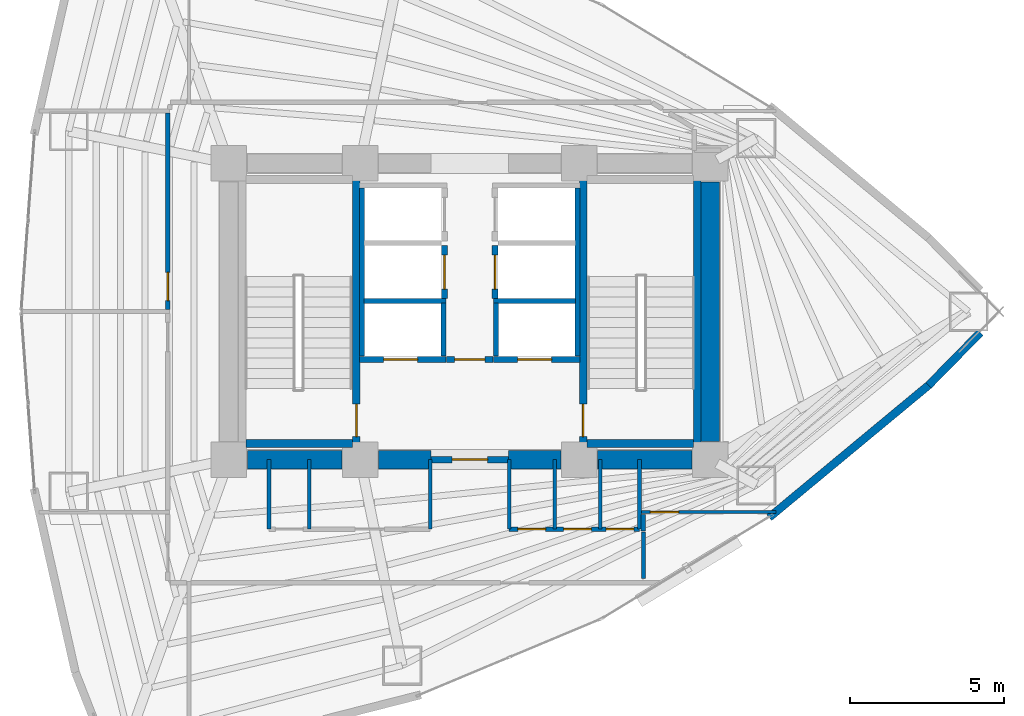
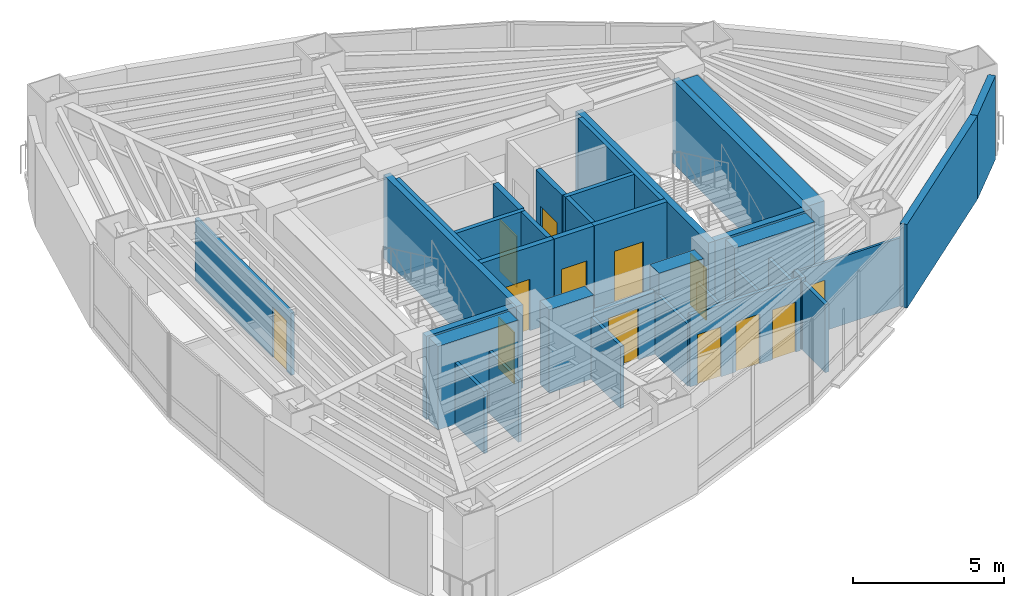
# One storey, part 13 of 16: 36 walls, 13 doors, 13 openings.
"""IFC4 building model written with IfcOpenShell, lengths in metres."""

from ifc_helpers import new_model, si_unit, direction, frame, frame_2d, origin, place, context, subcontext, project, spatial, rectangle, extrude, material, layer, layer_set, type_object, element, fill, save


model = new_model("IFC4")

# Units and contexts
model_context = context("Model", 3, precision=1e-05, world=origin(), true_north=direction((0.0, 1.0)))
body_context = subcontext(model_context, "Body", "Model", "MODEL_VIEW")
ifc_project = project(units=[si_unit("LENGTHUNIT", "METRE"), si_unit("AREAUNIT", "SQUARE_METRE"), si_unit("VOLUMEUNIT", "CUBIC_METRE"), si_unit("PLANEANGLEUNIT", "RADIAN"), si_unit("MASSUNIT", "GRAM", prefix="KILO")], contexts=[model_context])

# Site, building, storey
site_placement = place(None, origin())
site = spatial("IfcSite", under=ifc_project, at=site_placement, CompositionType="ELEMENT")
building_placement = place(site_placement, origin())
building = spatial("IfcBuilding", under=site, at=building_placement, Name="Menara Vayukalpa", CompositionType="ELEMENT")
storey_placement = place(building_placement, frame((0.0, 0.0, 79.679931640625)))
storey = spatial("IfcBuildingStorey", under=building, at=storey_placement, Name="L19", CompositionType="ELEMENT", Elevation=79.679931640625)

# Walls
ifc_material_1 = material(Name="Concrete C70/85", Category="concrete")
ifc_layer_1 = layer(ifc_material_1, 0.60009765625)
ifc_layer_set_1 = layer_set([ifc_layer_1], Name="Concrete C70/85")
wall_type_1 = type_object("IfcWallType", Name="WAL-CW600", PredefinedType="SHEAR", material=ifc_layer_set_1)
wall_1_placement = place(storey_placement, frame((18.39501953125, 17.199951171875, 0.0), z_axis=(0.0, 0.0, 1.0), x_axis=(1.0, 0.0, 0.0)))
element("IfcWall", 1, at=wall_1_placement, inside=storey, type_object=wall_type_1, Name="L19 Buttressed Core Shear Wall CWS1", PredefinedType="SHEAR", context=body_context, shape_type="SweptSolid", body=[
    extrude(rectangle(XDim=3.06005859375, YDim=0.60009765625, at=frame_2d((1.530029296875, 0.0))), origin(), (0.0, 0.0, 1.0), 3.380126953125),
])
wall_2_placement = place(storey_placement, frame((22.64501953125, 17.199951171875, 0.0), z_axis=(0.0, 0.0, 1.0), x_axis=(1.0, 0.0, 0.0)))
element("IfcWall", 2, at=wall_2_placement, inside=storey, type_object=wall_type_1, Name="L19 Buttressed Core Shear Wall CWS2", PredefinedType="SHEAR", context=body_context, shape_type="SweptSolid", body=[
    extrude(rectangle(XDim=1.705078125, YDim=0.60009765625, at=frame_2d((0.8525390625, 0.0))), origin(), (0.0, 0.0, 1.0), 3.380126953125),
])
wall_3_placement = place(storey_placement, frame((26.85009765625, 17.199951171875, 0.0), z_axis=(0.0, 0.0, 1.0), x_axis=(1.0, 0.0, 0.0)))
element("IfcWall", 3, at=wall_3_placement, inside=storey, type_object=wall_type_1, Name="L19 Buttressed Core Shear Wall CWS3", PredefinedType="SHEAR", context=body_context, shape_type="SweptSolid", body=[
    extrude(rectangle(XDim=1.704833984375, YDim=0.60009765625, at=frame_2d((0.8525390625, 0.0))), origin(), (0.0, 0.0, 1.0), 3.380126953125),
])
wall_4_placement = place(storey_placement, frame((29.7451171875, 17.199951171875, 0.0), z_axis=(0.0, 0.0, 1.0), x_axis=(1.0, 0.0, 0.0)))
element("IfcWall", 4, at=wall_4_placement, inside=storey, type_object=wall_type_1, Name="L19 Buttressed Core Shear Wall CWS4", PredefinedType="SHEAR", context=body_context, shape_type="SweptSolid", body=[
    extrude(rectangle(XDim=3.059814453125, YDim=0.60009765625, at=frame_2d((1.52978515625, 0.0))), origin(), (0.0, 0.0, 1.0), 3.380126953125),
])
wall_5_placement = place(storey_placement, frame((33.39990234375, 17.794921875, 0.0), z_axis=(0.0, 0.0, 1.0), x_axis=(0.0, 1.0, 0.0)))
element("IfcWall", 5, at=wall_5_placement, inside=storey, type_object=wall_type_1, Name="L19 Buttressed Core Shear Wall CWE1", PredefinedType="SHEAR", context=body_context, shape_type="SweptSolid", body=[
    extrude(rectangle(XDim=8.41015625, YDim=0.60009765625, at=frame_2d((4.205078125, 0.0))), origin(), (0.0, 0.0, 1.0), 3.380126953125),
])
ifc_material_2 = material(Name="Insulated Precast Concrete C40/50", Category="concrete")
ifc_layer_2 = layer(ifc_material_2, 0.260009765625)
ifc_layer_set_2 = layer_set([ifc_layer_2], Name="Insulated Precast Concrete C40/50")
wall_type_2 = type_object("IfcWallType", Name="WAL-EXT260", PredefinedType="PARTITIONING", material=ifc_layer_set_2)
wall_6_placement = place(storey_placement, frame((42.14111328125, 21.316650390625, 0.0), z_axis=(0.0, 0.0, 1.0), x_axis=(-0.700603293449, -0.713550996922, 0.0)))
element("IfcWall", 6, at=wall_6_placement, inside=storey, type_object=wall_type_2, Name="L19 Perimeter Terracotta Pier Wall 01", PredefinedType="PARTITIONING", context=body_context, shape_type="SweptSolid", body=[
    extrude(rectangle(XDim=2.394775390625, YDim=0.260009765625, at=frame_2d((1.197265625, 0.0))), origin(), (0.0, 0.0, 1.0), 3.380126953125),
])
wall_7_placement = place(storey_placement, frame((40.472412109375, 19.6162109375, 0.0), z_axis=(0.0, 0.0, 1.0), x_axis=(-0.76975316947, -0.638341646841, 0.0)))
element("IfcWall", 7, at=wall_7_placement, inside=storey, type_object=wall_type_2, Name="L19 Perimeter Terracotta Pier Wall 18", PredefinedType="PARTITIONING", context=body_context, shape_type="SweptSolid", body=[
    extrude(rectangle(XDim=6.718017578125, YDim=0.260009765625, at=frame_2d((3.35888671875, 0.0))), origin(), (0.0, 0.0, 1.0), 3.380126953125),
])
ifc_material_3 = material(Name="Lightweight Concrete Blockwork C16/20", Category="masonry")
ifc_layer_3 = layer(ifc_material_3, 0.159912109375)
ifc_layer_set_3 = layer_set([ifc_layer_3], Name="Lightweight Concrete Blockwork C16/20")
wall_type_3 = type_object("IfcWallType", Name="WAL-FR150", PredefinedType="PARTITIONING", material=ifc_layer_set_3)
wall_8_placement = place(storey_placement, frame((22.10498046875, 20.56005859375, 0.0), z_axis=(0.0, 0.0, 1.0), x_axis=(0.0, 1.0, 0.0)))
element("IfcWall", 8, at=wall_8_placement, inside=storey, type_object=wall_type_3, Name="L19 Interior Partition IW-L19-SHW-WW", PredefinedType="PARTITIONING", context=body_context, shape_type="SweptSolid", body=[
    extrude(rectangle(XDim=5.449951171875, YDim=0.159912109375, at=frame_2d((2.72509765625, 0.0))), origin(), (0.0, 0.0, 1.0), 3.380126953125),
])
wall_9_placement = place(storey_placement, frame((24.7548828125, 20.56005859375, 0.0), z_axis=(0.0, 0.0, 1.0), x_axis=(0.0, 1.0, 0.0)))
element("IfcWall", 9, at=wall_9_placement, inside=storey, type_object=wall_type_3, Name="L19 Interior Partition IW-L19-SHW-W1E", PredefinedType="PARTITIONING", context=body_context, shape_type="SweptSolid", body=[
    extrude(rectangle(XDim=1.7099609375, YDim=0.159912109375, at=frame_2d((0.85498046875, 0.0))), origin(), (0.0, 0.0, 1.0), 3.380126953125),
])
wall_10_placement = place(storey_placement, frame((22.179931640625, 22.344970703125, 0.0), z_axis=(0.0, 0.0, 1.0), x_axis=(1.0, 0.0, 0.0)))
element("IfcWall", 10, at=wall_10_placement, inside=storey, type_object=wall_type_3, Name="L19 Interior Partition IW-L19-SHM-W12", PredefinedType="PARTITIONING", context=body_context, shape_type="SweptSolid", body=[
    extrude(rectangle(XDim=2.650146484375, YDim=0.159912109375, at=frame_2d((1.3251953125, 0.0))), origin(), (0.0, 0.0, 1.0), 3.380126953125),
])
wall_11_placement = place(storey_placement, frame((29.094970703125, 20.56005859375, 0.0), z_axis=(0.0, 0.0, 1.0), x_axis=(0.0, 1.0, 0.0)))
element("IfcWall", 11, at=wall_11_placement, inside=storey, type_object=wall_type_3, Name="L19 Interior Partition IW-L19-SHW-EE", PredefinedType="PARTITIONING", context=body_context, shape_type="SweptSolid", body=[
    extrude(rectangle(XDim=5.449951171875, YDim=0.159912109375, at=frame_2d((2.72509765625, 0.0))), origin(), (0.0, 0.0, 1.0), 3.380126953125),
])
wall_12_placement = place(storey_placement, frame((26.445068359375, 20.56005859375, 0.0), z_axis=(0.0, 0.0, 1.0), x_axis=(0.0, 1.0, 0.0)))
element("IfcWall", 12, at=wall_12_placement, inside=storey, type_object=wall_type_3, Name="L19 Interior Partition IW-L19-SHW-E1W", PredefinedType="PARTITIONING", context=body_context, shape_type="SweptSolid", body=[
    extrude(rectangle(XDim=1.7099609375, YDim=0.159912109375, at=frame_2d((0.85498046875, 0.0))), origin(), (0.0, 0.0, 1.0), 3.380126953125),
])
wall_13_placement = place(storey_placement, frame((26.3701171875, 22.344970703125, 0.0), z_axis=(0.0, 0.0, 1.0), x_axis=(1.0, 0.0, 0.0)))
element("IfcWall", 13, at=wall_13_placement, inside=storey, type_object=wall_type_3, Name="L19 Interior Partition IW-L19-SHM-E13", PredefinedType="PARTITIONING", context=body_context, shape_type="SweptSolid", body=[
    extrude(rectangle(XDim=2.64990234375, YDim=0.159912109375, at=frame_2d((1.324951171875, 0.0))), origin(), (0.0, 0.0, 1.0), 3.380126953125),
])

# Wall, opening, door
ifc_material_4 = material(Name="Lightweight Concrete Blockwork C16/20", Category="masonry")
ifc_layer_4 = layer(ifc_material_4, 0.199951171875)
ifc_layer_set_4 = layer_set([ifc_layer_4], Name="Lightweight Concrete Blockwork C16/20")
wall_type_4 = type_object("IfcWallType", Name="WAL-FR200", PredefinedType="PARTITIONING", material=ifc_layer_set_4)
wall_14_placement = place(storey_placement, frame((24.35009765625, 17.199951171875, 0.0), z_axis=(0.0, 0.0, 1.0), x_axis=(1.0, 0.0, 0.0)))
wall_14 = element("IfcWall", 14, at=wall_14_placement, inside=storey, type_object=wall_type_4, Name="L19 Interior Partition IW-L19-FFLS", PredefinedType="PARTITIONING", context=body_context, shape_type="SweptSolid", body=[
    extrude(rectangle(XDim=2.5, YDim=0.199951171875, at=frame_2d((1.25, 0.0))), origin(), (0.0, 0.0, 1.0), 2.510009765625),
])
opening_1_placement = place(wall_14_placement, frame((0.679931640625, 0.0, 0.0)))
opening_1 = element("IfcOpeningElement", 15, at=opening_1_placement, cuts=wall_14, Name="Opening ID2", PredefinedType="OPENING", context=body_context, shape_type="SweptSolid", body=[
    extrude(rectangle(XDim=1.14990234375, YDim=2.080078125, at=frame_2d((0.574951171875, 1.0400390625))), frame((0.0, 0.10986328125, 0.0), z_axis=(0.0, -1.0, 0.0), x_axis=(1.0, 0.0, 0.0)), (0.0, 0.0, 1.0), 0.219970703125),
])
ifc_material_5 = material(Name="Fire-Rated Powder-Coated Steel Door", Category="steel")
door_type_1 = type_object("IfcDoorType", Name="DR-FD60W", OperationType="NOTDEFINED", PredefinedType="DOOR", material=ifc_material_5)
door_1_placement = place(opening_1_placement, origin())
door_1 = element("IfcDoor", 16, at=door_1_placement, inside=storey, type_object=door_type_1, Name="L19 Interior Door DR-L19-FFLS", OperationType="SINGLE_SWING_RIGHT", OverallHeight=2.080078125, OverallWidth=1.14990234375, PredefinedType="DOOR", context=body_context, shape_type="SweptSolid", body=[
    extrude(rectangle(XDim=1.14990234375, YDim=2.080078125, at=frame_2d((0.574951171875, 1.0400390625))), frame((0.0, 0.02490234375, 0.0), z_axis=(0.0, -1.0, 0.0), x_axis=(1.0, 0.0, 0.0)), (0.0, 0.0, 1.0), 0.050048828125),
])
fill(opening_1, door_1)

wall_15_placement = place(storey_placement, frame((24.840087890625, 20.449951171875, 0.0), z_axis=(0.0, 0.0, 1.0), x_axis=(1.0, 0.0, 0.0)))
wall_15 = element("IfcWall", 17, at=wall_15_placement, inside=storey, type_object=wall_type_4, Name="L19 Interior Partition IW-L19-FFLN", PredefinedType="PARTITIONING", context=body_context, shape_type="SweptSolid", body=[
    extrude(rectangle(XDim=1.52001953125, YDim=0.199951171875, at=frame_2d((0.760009765625, 0.0))), origin(), (0.0, 0.0, 1.0), 3.380126953125),
])
opening_2_placement = place(wall_15_placement, frame((0.27001953125, 0.0, 0.0)))
opening_2 = element("IfcOpeningElement", 18, at=opening_2_placement, cuts=wall_15, Name="Opening ID3", PredefinedType="OPENING", context=body_context, shape_type="SweptSolid", body=[
    extrude(rectangle(XDim=0.97998046875, YDim=2.06005859375, at=frame_2d((0.489990234375, 1.030029296875))), frame((0.0, 0.10986328125, 0.0), z_axis=(0.0, -1.0, 0.0), x_axis=(1.0, 0.0, 0.0)), (0.0, 0.0, 1.0), 0.219970703125),
])
ifc_material_6 = material(Name="Fire-Rated Powder-Coated Steel Door", Category="steel")
door_type_2 = type_object("IfcDoorType", Name="DR-FD60", OperationType="NOTDEFINED", PredefinedType="DOOR", material=ifc_material_6)
door_2_placement = place(opening_2_placement, origin())
door_2 = element("IfcDoor", 19, at=door_2_placement, inside=storey, type_object=door_type_2, Name="L19 Interior Door DR-L19-FFLN", OperationType="SINGLE_SWING_LEFT", OverallHeight=2.06005859375, OverallWidth=0.97998046875, PredefinedType="DOOR", context=body_context, shape_type="SweptSolid", body=[
    extrude(rectangle(XDim=0.97998046875, YDim=2.06005859375, at=frame_2d((0.489990234375, 1.030029296875))), frame((0.0, 0.02490234375, 0.0), z_axis=(0.0, -1.0, 0.0), x_axis=(1.0, 0.0, 0.0)), (0.0, 0.0, 1.0), 0.050048828125),
])
fill(opening_2, door_2)

wall_16_placement = place(storey_placement, frame((22.030029296875, 20.449951171875, 0.0), z_axis=(0.0, 0.0, 1.0), x_axis=(1.0, 0.0, 0.0)))
wall_16 = element("IfcWall", 20, at=wall_16_placement, inside=storey, type_object=wall_type_4, Name="L19 Interior Partition IW-L19-SH-W1", PredefinedType="PARTITIONING", context=body_context, shape_type="SweptSolid", body=[
    extrude(rectangle(XDim=2.800048828125, YDim=0.199951171875, at=frame_2d((1.39990234375, 0.0))), origin(), (0.0, 0.0, 1.0), 3.380126953125),
])
opening_3_placement = place(wall_16_placement, frame((0.780029296875, 0.0, 0.0)))
opening_3 = element("IfcOpeningElement", 21, at=opening_3_placement, cuts=wall_16, Name="Opening LD1", PredefinedType="OPENING", context=body_context, shape_type="SweptSolid", body=[
    extrude(rectangle(XDim=1.10009765625, YDim=2.080078125, at=frame_2d((0.550048828125, 1.0400390625))), frame((0.0, 0.10986328125, 0.0), z_axis=(0.0, -1.0, 0.0), x_axis=(1.0, 0.0, 0.0)), (0.0, 0.0, 1.0), 0.219970703125),
])
ifc_material_7 = material(Name="Brushed Stainless Steel 316 Lift Door", Category="steel")
door_type_3 = type_object("IfcDoorType", Name="DR-LD110", OperationType="NOTDEFINED", PredefinedType="DOOR", material=ifc_material_7)
door_3_placement = place(opening_3_placement, origin())
door_3 = element("IfcDoor", 22, at=door_3_placement, inside=storey, type_object=door_type_3, Name="L19 Interior Door DR-L19-LD-W1", OperationType="DOUBLE_DOOR_SLIDING", OverallHeight=2.080078125, OverallWidth=1.10009765625, PredefinedType="DOOR", context=body_context, shape_type="SweptSolid", body=[
    extrude(rectangle(XDim=1.10009765625, YDim=2.080078125, at=frame_2d((0.550048828125, 1.0400390625))), frame((0.0, 0.02490234375, 0.0), z_axis=(0.0, -1.0, 0.0), x_axis=(1.0, 0.0, 0.0)), (0.0, 0.0, 1.0), 0.050048828125),
])
fill(opening_3, door_3)

wall_17_placement = place(storey_placement, frame((26.3701171875, 20.449951171875, 0.0), z_axis=(0.0, 0.0, 1.0), x_axis=(1.0, 0.0, 0.0)))
wall_17 = element("IfcWall", 23, at=wall_17_placement, inside=storey, type_object=wall_type_4, Name="L19 Interior Partition IW-L19-SH-E1", PredefinedType="PARTITIONING", context=body_context, shape_type="SweptSolid", body=[
    extrude(rectangle(XDim=2.7998046875, YDim=0.199951171875, at=frame_2d((1.39990234375, 0.0))), origin(), (0.0, 0.0, 1.0), 3.380126953125),
])
opening_4_placement = place(wall_17_placement, frame((0.780029296875, 0.0, 0.0)))
opening_4 = element("IfcOpeningElement", 24, at=opening_4_placement, cuts=wall_17, Name="Opening LD1", PredefinedType="OPENING", context=body_context, shape_type="SweptSolid", body=[
    extrude(rectangle(XDim=1.10009765625, YDim=2.080078125, at=frame_2d((0.550048828125, 1.0400390625))), frame((0.0, 0.10986328125, 0.0), z_axis=(0.0, -1.0, 0.0), x_axis=(1.0, 0.0, 0.0)), (0.0, 0.0, 1.0), 0.219970703125),
])
door_4_placement = place(opening_4_placement, origin())
door_4 = element("IfcDoor", 25, at=door_4_placement, inside=storey, type_object=door_type_3, Name="L19 Interior Door DR-L19-LD-E1", OperationType="DOUBLE_DOOR_SLIDING", OverallHeight=2.080078125, OverallWidth=1.10009765625, PredefinedType="DOOR", context=body_context, shape_type="SweptSolid", body=[
    extrude(rectangle(XDim=1.10009765625, YDim=2.080078125, at=frame_2d((0.550048828125, 1.0400390625))), frame((0.0, 0.02490234375, 0.0), z_axis=(0.0, -1.0, 0.0), x_axis=(1.0, 0.0, 0.0)), (0.0, 0.0, 1.0), 0.050048828125),
])
fill(opening_4, door_4)

wall_18_placement = place(storey_placement, frame((24.780029296875, 22.419921875, 0.0), z_axis=(0.0, 0.0, 1.0), x_axis=(0.0, 1.0, 0.0)))
wall_18 = element("IfcWall", 26, at=wall_18_placement, inside=storey, type_object=wall_type_4, Name="L19 Interior Partition IW-L19-SH-W2", PredefinedType="PARTITIONING", context=body_context, shape_type="SweptSolid", body=[
    extrude(rectangle(XDim=1.719970703125, YDim=0.199951171875, at=frame_2d((0.85986328125, 0.0))), origin(), (0.0, 0.0, 1.0), 3.380126953125),
])
opening_5_placement = place(wall_18_placement, frame((0.31005859375, 0.0, 0.0)))
opening_5 = element("IfcOpeningElement", 27, at=opening_5_placement, cuts=wall_18, Name="Opening LD1", PredefinedType="OPENING", context=body_context, shape_type="SweptSolid", body=[
    extrude(rectangle(XDim=1.10009765625, YDim=2.080078125, at=frame_2d((0.550048828125, 1.0400390625))), frame((0.0, 0.10986328125, 0.0), z_axis=(0.0, -1.0, 0.0), x_axis=(1.0, 0.0, 0.0)), (0.0, 0.0, 1.0), 0.219970703125),
])
door_5_placement = place(opening_5_placement, origin())
door_5 = element("IfcDoor", 28, at=door_5_placement, inside=storey, type_object=door_type_3, Name="L19 Interior Door DR-L19-LD-W2", OperationType="DOUBLE_DOOR_SLIDING", OverallHeight=2.080078125, OverallWidth=1.10009765625, PredefinedType="DOOR", context=body_context, shape_type="SweptSolid", body=[
    extrude(rectangle(XDim=1.10009765625, YDim=2.080078125, at=frame_2d((0.550048828125, 1.0400390625))), frame((0.0, 0.02490234375, 0.0), z_axis=(0.0, -1.0, 0.0), x_axis=(1.0, 0.0, 0.0)), (0.0, 0.0, 1.0), 0.050048828125),
])
fill(opening_5, door_5)

wall_19_placement = place(storey_placement, frame((26.419921875, 22.419921875, 0.0), z_axis=(0.0, 0.0, 1.0), x_axis=(0.0, 1.0, 0.0)))
wall_19 = element("IfcWall", 29, at=wall_19_placement, inside=storey, type_object=wall_type_4, Name="L19 Interior Partition IW-L19-SH-E3", PredefinedType="PARTITIONING", context=body_context, shape_type="SweptSolid", body=[
    extrude(rectangle(XDim=1.719970703125, YDim=0.199951171875, at=frame_2d((0.85986328125, 0.0))), origin(), (0.0, 0.0, 1.0), 3.380126953125),
])
opening_6_placement = place(wall_19_placement, frame((0.31005859375, 0.0, 0.0)))
opening_6 = element("IfcOpeningElement", 30, at=opening_6_placement, cuts=wall_19, Name="Opening LD1", PredefinedType="OPENING", context=body_context, shape_type="SweptSolid", body=[
    extrude(rectangle(XDim=1.10009765625, YDim=2.080078125, at=frame_2d((0.550048828125, 1.0400390625))), frame((0.0, 0.10986328125, 0.0), z_axis=(0.0, -1.0, 0.0), x_axis=(1.0, 0.0, 0.0)), (0.0, 0.0, 1.0), 0.219970703125),
])
door_6_placement = place(opening_6_placement, origin())
door_6 = element("IfcDoor", 31, at=door_6_placement, inside=storey, type_object=door_type_3, Name="L19 Interior Door DR-L19-LD-E3", OperationType="DOUBLE_DOOR_SLIDING", OverallHeight=2.080078125, OverallWidth=1.10009765625, PredefinedType="DOOR", context=body_context, shape_type="SweptSolid", body=[
    extrude(rectangle(XDim=1.10009765625, YDim=2.080078125, at=frame_2d((0.550048828125, 1.0400390625))), frame((0.0, 0.02490234375, 0.0), z_axis=(0.0, -1.0, 0.0), x_axis=(1.0, 0.0, 0.0)), (0.0, 0.0, 1.0), 0.050048828125),
])
fill(opening_6, door_6)

ifc_material_8 = material(Name="Glazed Demountable Office Partition", Category="glass")
ifc_layer_5 = layer(ifc_material_8, 0.094970703125)
ifc_layer_set_5 = layer_set([ifc_layer_5], Name="Glazed Demountable Office Partition")
wall_type_5 = type_object("IfcWallType", Name="WAL-PT100", PredefinedType="PARTITIONING", material=ifc_layer_set_5)
wall_20_placement = place(storey_placement, frame((31.169921875, 15.5, 0.0), z_axis=(0.0, 0.0, 1.0), x_axis=(1.0, 0.0, 0.0)))
wall_20 = element("IfcWall", 32, at=wall_20_placement, inside=storey, type_object=wall_type_5, Name="L19 Interior Partition IW-L19-RDIV04", PredefinedType="PARTITIONING", context=body_context, shape_type="SweptSolid", body=[
    extrude(rectangle(XDim=4.3544921875, YDim=0.094970703125, at=frame_2d((2.17724609375, 0.0))), origin(), (0.0, 0.0, 1.0), 2.760009765625),
])
opening_7_placement = place(wall_20_placement, frame((0.280029296875, 0.0, 0.0)))
opening_7 = element("IfcOpeningElement", 33, at=opening_7_placement, cuts=wall_20, Name="Opening ID6", PredefinedType="OPENING", context=body_context, shape_type="SweptSolid", body=[
    extrude(rectangle(XDim=0.919921875, YDim=2.050048828125, at=frame_2d((0.4599609375, 1.02490234375))), frame((0.0, 0.057373046875, 0.0), z_axis=(0.0, -1.0, 0.0), x_axis=(1.0, 0.0, 0.0)), (0.0, 0.0, 1.0), 0.114990234375),
])
ifc_material_9 = material(Name="Acoustic Hardwood Veneer Timber Door", Category="wood")
door_type_4 = type_object("IfcDoorType", Name="DR-INT92", OperationType="NOTDEFINED", PredefinedType="DOOR", material=ifc_material_9)
door_7_placement = place(opening_7_placement, origin())
door_7 = element("IfcDoor", 34, at=door_7_placement, inside=storey, type_object=door_type_4, Name="L19 Interior Door DR-L19-STE05", OperationType="SINGLE_SWING_LEFT", OverallHeight=2.050048828125, OverallWidth=0.919921875, PredefinedType="DOOR", context=body_context, shape_type="SweptSolid", body=[
    extrude(rectangle(XDim=0.919921875, YDim=2.050048828125, at=frame_2d((0.4599609375, 1.02490234375))), frame((0.0, 0.02490234375, 0.0), z_axis=(0.0, -1.0, 0.0), x_axis=(1.0, 0.0, 0.0)), (0.0, 0.0, 1.0), 0.050048828125),
])
fill(opening_7, door_7)

# Walls
ifc_material_10 = material(Name="Acoustic Mineral Stud Partition", Category="masonry")
ifc_layer_6 = layer(ifc_material_10, 0.110107421875)
ifc_layer_set_6 = layer_set([ifc_layer_6], Name="Acoustic Mineral Stud Partition")
wall_type_6 = type_object("IfcWallType", Name="WAL-PT110", PredefinedType="PARTITIONING", material=ifc_layer_set_6)
for number, where, z_axis, x_axis, name in (
    (35, (20.39990234375, 14.949951171875, 0.0), (0.0, 0.0, 1.0), (0.0, 1.0, 0.0), "L19 Interior Partition IW-L19-SVCD-02"),
    (36, (28.35009765625, 14.949951171875, 0.0), (0.0, 0.0, 1.0), (0.0, 1.0, 0.0), "L19 Interior Partition IW-L19-SVCD-05"),
):
    element("IfcWall", number, at=place(storey_placement, frame(where, z_axis=z_axis, x_axis=x_axis)), inside=storey, type_object=wall_type_6, Name=name, PredefinedType="PARTITIONING", context=body_context, shape_type="SweptSolid", body=[
        extrude(rectangle(XDim=2.25, YDim=0.110107421875, at=frame_2d((1.125, 0.0))), origin(), (0.0, 0.0, 1.0), 2.510009765625),
    ])
ifc_material_11 = material(Name="Gypsum Drywall Steel Stud Assembly", Category="steel")
ifc_layer_7 = layer(ifc_material_11, 0.125)
ifc_layer_set_7 = layer_set([ifc_layer_7], Name="Gypsum Drywall Steel Stud Assembly")
wall_type_7 = type_object("IfcWallType", Name="WAL-PT125", PredefinedType="PARTITIONING", material=ifc_layer_set_7)
for number, where, z_axis, x_axis, name in (
    (37, (19.10009765625, 14.949951171875, 0.0), (0.0, 0.0, 1.0), (0.0, 1.0, 0.0), "L19 Interior Partition IW-L19-SVCD-01"),
    (38, (24.320068359375, 14.949951171875, 0.0), (0.0, 0.0, 1.0), (0.0, 1.0, 0.0), "L19 Interior Partition IW-L19-SVCD-03"),
    (39, (26.8798828125, 14.949951171875, 0.0), (0.0, 0.0, 1.0), (0.0, 1.0, 0.0), "L19 Interior Partition IW-L19-SVCD-04"),
    (40, (29.830078125, 14.949951171875, 0.0), (0.0, 0.0, 1.0), (0.0, 1.0, 0.0), "L19 Interior Partition IW-L19-SVCD-06"),
    (41, (31.10009765625, 14.949951171875, 0.0), (0.0, 0.0, 1.0), (0.0, 1.0, 0.0), "L19 Interior Partition IW-L19-SVCD-07"),
):
    element("IfcWall", number, at=place(storey_placement, frame(where, z_axis=z_axis, x_axis=x_axis)), inside=storey, type_object=wall_type_7, Name=name, PredefinedType="PARTITIONING", context=body_context, shape_type="SweptSolid", body=[
        extrude(rectangle(XDim=2.25, YDim=0.125, at=frame_2d((1.125, 0.0))), origin(), (0.0, 0.0, 1.0), 2.510009765625),
    ])

# Wall, openings, doors
ifc_material_12 = material(Name="Gypsum Drywall Acoustic Stud Assembly", Category="masonry")
ifc_layer_8 = layer(ifc_material_12, 0.14501953125)
ifc_layer_set_8 = layer_set([ifc_layer_8], Name="Gypsum Drywall Acoustic Stud Assembly")
wall_type_8 = type_object("IfcWallType", Name="WAL-PT150", PredefinedType="PARTITIONING", material=ifc_layer_set_8)
wall_21_placement = place(storey_placement, frame((26.8798828125, 14.949951171875, 0.0), z_axis=(0.0, 0.0, 1.0), x_axis=(1.0, 0.0, 0.0)))
wall_21 = element("IfcWall", 42, at=wall_21_placement, inside=storey, type_object=wall_type_8, Name="L19 Interior Partition IW-L19-SVCS-E", PredefinedType="PARTITIONING", context=body_context, shape_type="SweptSolid", body=[
    extrude(rectangle(XDim=4.22021484375, YDim=0.14501953125, at=frame_2d((2.110107421875, 0.0))), origin(), (0.0, 0.0, 1.0), 2.91015625),
])
opening_8_placement = place(wall_21_placement, frame((0.280029296875, 0.0, 0.0)))
opening_8 = element("IfcOpeningElement", 43, at=opening_8_placement, cuts=wall_21, Name="Opening ID7", PredefinedType="OPENING", context=body_context, shape_type="SweptSolid", body=[
    extrude(rectangle(XDim=0.89990234375, YDim=2.02001953125, at=frame_2d((0.449951171875, 1.010009765625))), frame((0.0, 0.08251953125, 0.0), z_axis=(0.0, -1.0, 0.0), x_axis=(1.0, 0.0, 0.0)), (0.0, 0.0, 1.0), 0.1650390625),
])
opening_9_placement = place(wall_21_placement, frame((1.760009765625, 0.0, 0.0)))
opening_9 = element("IfcOpeningElement", 44, at=opening_9_placement, cuts=wall_21, Name="Opening ID7", PredefinedType="OPENING", context=body_context, shape_type="SweptSolid", body=[
    extrude(rectangle(XDim=0.89990234375, YDim=2.02001953125, at=frame_2d((0.449951171875, 1.010009765625))), frame((0.0, 0.08251953125, 0.0), z_axis=(0.0, -1.0, 0.0), x_axis=(1.0, 0.0, 0.0)), (0.0, 0.0, 1.0), 0.1650390625),
])
opening_10_placement = place(wall_21_placement, frame((3.139892578125, 0.0, 0.0)))
opening_10 = element("IfcOpeningElement", 45, at=opening_10_placement, cuts=wall_21, Name="Opening ID7", PredefinedType="OPENING", context=body_context, shape_type="SweptSolid", body=[
    extrude(rectangle(XDim=0.89990234375, YDim=2.02001953125, at=frame_2d((0.449951171875, 1.010009765625))), frame((0.0, 0.08251953125, 0.0), z_axis=(0.0, -1.0, 0.0), x_axis=(1.0, 0.0, 0.0)), (0.0, 0.0, 1.0), 0.1650390625),
])
ifc_material_13 = material(Name="Powder-Coated Steel Riser Access Door", Category="steel")
door_type_5 = type_object("IfcDoorType", Name="DR-RISER", OperationType="NOTDEFINED", PredefinedType="DOOR", material=ifc_material_13)
door_8_placement = place(opening_8_placement, origin())
door_8 = element("IfcDoor", 46, at=door_8_placement, inside=storey, type_object=door_type_5, Name="L19 Interior Door DR-L19-KSV1", OperationType="SINGLE_SWING_RIGHT", OverallHeight=2.02001953125, OverallWidth=0.89990234375, PredefinedType="DOOR", context=body_context, shape_type="SweptSolid", body=[
    extrude(rectangle(XDim=0.89990234375, YDim=2.02001953125, at=frame_2d((0.449951171875, 1.010009765625))), frame((0.0, 0.02490234375, 0.0), z_axis=(0.0, -1.0, 0.0), x_axis=(1.0, 0.0, 0.0)), (0.0, 0.0, 1.0), 0.050048828125),
])
fill(opening_8, door_8)
door_9_placement = place(opening_9_placement, origin())
door_9 = element("IfcDoor", 47, at=door_9_placement, inside=storey, type_object=door_type_5, Name="L19 Interior Door DR-L19-KSV2", OperationType="SINGLE_SWING_LEFT", OverallHeight=2.02001953125, OverallWidth=0.89990234375, PredefinedType="DOOR", context=body_context, shape_type="SweptSolid", body=[
    extrude(rectangle(XDim=0.89990234375, YDim=2.02001953125, at=frame_2d((0.449951171875, 1.010009765625))), frame((0.0, 0.02490234375, 0.0), z_axis=(0.0, -1.0, 0.0), x_axis=(1.0, 0.0, 0.0)), (0.0, 0.0, 1.0), 0.050048828125),
])
fill(opening_9, door_9)
door_10_placement = place(opening_10_placement, origin())
door_10 = element("IfcDoor", 48, at=door_10_placement, inside=storey, type_object=door_type_5, Name="L19 Interior Door DR-L19-SMD", OperationType="SINGLE_SWING_RIGHT", OverallHeight=2.02001953125, OverallWidth=0.89990234375, PredefinedType="DOOR", context=body_context, shape_type="SweptSolid", body=[
    extrude(rectangle(XDim=0.89990234375, YDim=2.02001953125, at=frame_2d((0.449951171875, 1.010009765625))), frame((0.0, 0.02490234375, 0.0), z_axis=(0.0, -1.0, 0.0), x_axis=(1.0, 0.0, 0.0)), (0.0, 0.0, 1.0), 0.050048828125),
])
fill(opening_10, door_10)

# Walls
wall_22_placement = place(storey_placement, frame((31.22998046875, 13.351318359375, 0.0), z_axis=(0.0, 0.0, 1.0), x_axis=(0.0, 1.0, 0.0)))
element("IfcWall", 49, at=wall_22_placement, inside=storey, type_object=wall_type_8, Name="L19 Interior Partition IW-L19-CRM04-2", PredefinedType="PARTITIONING", context=body_context, shape_type="SweptSolid", body=[
    extrude(rectangle(XDim=1.498779296875, YDim=0.14501953125, at=frame_2d((0.74951171875, 0.0))), origin(), (0.0, 0.0, 1.0), 2.760009765625),
])
wall_23_placement = place(storey_placement, frame((31.219970703125, 14.888671875, 0.0), z_axis=(0.0, 0.0, 1.0), x_axis=(0.0, 1.0, 0.0)))
element("IfcWall", 50, at=wall_23_placement, inside=storey, type_object=wall_type_8, Name="L19 Interior Partition IW-L19-CRM04-3", PredefinedType="PARTITIONING", context=body_context, shape_type="SweptSolid", body=[
    extrude(rectangle(XDim=0.541259765625, YDim=0.14501953125, at=frame_2d((0.2705078125, 0.0))), origin(), (0.0, 0.0, 1.0), 2.91015625),
])

# Wall, opening, door
wall_24_placement = place(storey_placement, frame((15.820068359375, 28.429931640625, 0.0), z_axis=(0.0, 0.0, 1.0), x_axis=(0.0, -1.0, 0.0)))
wall_24 = element("IfcWall", 51, at=wall_24_placement, inside=storey, type_object=wall_type_8, Name="L19 Interior Partition IW-L19-CRM08-1", PredefinedType="PARTITIONING", context=body_context, shape_type="SweptSolid", body=[
    extrude(rectangle(XDim=6.35986328125, YDim=0.14501953125, at=frame_2d((3.179931640625, 0.0))), origin(), (0.0, 0.0, 1.0), 2.510009765625),
])
opening_11_placement = place(wall_24_placement, frame((5.159912109375, 0.0, 0.0)))
opening_11 = element("IfcOpeningElement", 52, at=opening_11_placement, cuts=wall_24, Name="Opening ID6", PredefinedType="OPENING", context=body_context, shape_type="SweptSolid", body=[
    extrude(rectangle(XDim=0.919921875, YDim=2.050048828125, at=frame_2d((0.4599609375, 1.02490234375))), frame((0.0, 0.08251953125, 0.0), z_axis=(0.0, -1.0, 0.0), x_axis=(1.0, 0.0, 0.0)), (0.0, 0.0, 1.0), 0.1650390625),
])
door_11_placement = place(opening_11_placement, origin())
door_11 = element("IfcDoor", 53, at=door_11_placement, inside=storey, type_object=door_type_4, Name="L19 Interior Door DR-L19-RM08", OperationType="SINGLE_SWING_LEFT", OverallHeight=2.050048828125, OverallWidth=0.919921875, PredefinedType="DOOR", context=body_context, shape_type="SweptSolid", body=[
    extrude(rectangle(XDim=0.919921875, YDim=2.050048828125, at=frame_2d((0.4599609375, 1.02490234375))), frame((0.0, 0.02490234375, 0.0), z_axis=(0.0, -1.0, 0.0), x_axis=(1.0, 0.0, 0.0)), (0.0, 0.0, 1.0), 0.050048828125),
])
fill(opening_11, door_11)

ifc_material_14 = material(Name="Concrete C50/60", Category="concrete")
ifc_layer_9 = layer(ifc_material_14, 0.25)
ifc_layer_set_9 = layer_set([ifc_layer_9], Name="Concrete C50/60")
wall_type_9 = type_object("IfcWallType", Name="WAL-SW250", PredefinedType="SHEAR", material=ifc_layer_set_9)
wall_25_placement = place(storey_placement, frame((21.925048828125, 17.60009765625, 0.0), z_axis=(0.0, 0.0, 1.0), x_axis=(0.0, 1.0, 0.0)))
wall_25 = element("IfcWall", 54, at=wall_25_placement, inside=storey, type_object=wall_type_9, Name="L19 ST1 Structural Stair Shaft Wall E", PredefinedType="SHEAR", context=body_context, shape_type="SweptSolid", body=[
    extrude(rectangle(XDim=8.7998046875, YDim=0.25, at=frame_2d((4.39990234375, 0.0))), origin(), (0.0, 0.0, 1.0), 3.380126953125),
])
opening_12_placement = place(wall_25_placement, frame((0.35009765625, 0.0, 0.0)))
opening_12 = element("IfcOpeningElement", 55, at=opening_12_placement, cuts=wall_25, Name="Opening ID1", PredefinedType="OPENING", context=body_context, shape_type="SweptSolid", body=[
    extrude(rectangle(XDim=1.050048828125, YDim=2.080078125, at=frame_2d((0.52490234375, 1.0400390625))), frame((0.0, 0.135009765625, 0.0), z_axis=(0.0, -1.0, 0.0), x_axis=(1.0, 0.0, 0.0)), (0.0, 0.0, 1.0), 0.27001953125),
])
ifc_material_15 = material(Name="Fire-Rated Powder-Coated Steel Door", Category="steel")
door_type_6 = type_object("IfcDoorType", Name="DR-FD120", OperationType="NOTDEFINED", PredefinedType="DOOR", material=ifc_material_15)
door_12_placement = place(opening_12_placement, origin())
door_12 = element("IfcDoor", 56, at=door_12_placement, inside=storey, type_object=door_type_6, Name="L19 Stair Exit Door DR-L19-ST1", OperationType="SINGLE_SWING_LEFT", OverallHeight=2.080078125, OverallWidth=1.050048828125, PredefinedType="DOOR", context=body_context, shape_type="SweptSolid", body=[
    extrude(rectangle(XDim=1.050048828125, YDim=2.080078125, at=frame_2d((0.52490234375, 1.0400390625))), frame((0.0, 0.02490234375, 0.0), z_axis=(0.0, -1.0, 0.0), x_axis=(1.0, 0.0, 0.0)), (0.0, 0.0, 1.0), 0.050048828125),
])
fill(opening_12, door_12)

# Wall
wall_26_placement = place(storey_placement, frame((18.35400390625, 17.72509765625, 0.0), z_axis=(0.0, 0.0, 1.0), x_axis=(1.0, 0.0, 0.0)))
element("IfcWall", 57, at=wall_26_placement, inside=storey, type_object=wall_type_9, Name="L19 ST1 Structural Stair Shaft Wall S", PredefinedType="SHEAR", context=body_context, shape_type="SweptSolid", body=[
    extrude(rectangle(XDim=3.446044921875, YDim=0.25, at=frame_2d((1.72314453125, 0.0))), origin(), (0.0, 0.0, 1.0), 3.380126953125),
])

# Wall, opening, door
wall_27_placement = place(storey_placement, frame((29.27490234375, 17.60009765625, 0.0), z_axis=(0.0, 0.0, 1.0), x_axis=(0.0, 1.0, 0.0)))
wall_27 = element("IfcWall", 58, at=wall_27_placement, inside=storey, type_object=wall_type_9, Name="L19 ST2 Structural Stair Shaft Wall W", PredefinedType="SHEAR", context=body_context, shape_type="SweptSolid", body=[
    extrude(rectangle(XDim=8.7998046875, YDim=0.25, at=frame_2d((4.39990234375, 0.0))), origin(), (0.0, 0.0, 1.0), 3.380126953125),
])
opening_13_placement = place(wall_27_placement, frame((0.35009765625, 0.0, 0.0)))
opening_13 = element("IfcOpeningElement", 59, at=opening_13_placement, cuts=wall_27, Name="Opening ID1", PredefinedType="OPENING", context=body_context, shape_type="SweptSolid", body=[
    extrude(rectangle(XDim=1.050048828125, YDim=2.080078125, at=frame_2d((0.52490234375, 1.0400390625))), frame((0.0, 0.135009765625, 0.0), z_axis=(0.0, -1.0, 0.0), x_axis=(1.0, 0.0, 0.0)), (0.0, 0.0, 1.0), 0.27001953125),
])
door_13_placement = place(opening_13_placement, origin())
door_13 = element("IfcDoor", 60, at=door_13_placement, inside=storey, type_object=door_type_6, Name="L19 Stair Exit Door DR-L19-ST2", OperationType="SINGLE_SWING_RIGHT", OverallHeight=2.080078125, OverallWidth=1.050048828125, PredefinedType="DOOR", context=body_context, shape_type="SweptSolid", body=[
    extrude(rectangle(XDim=1.050048828125, YDim=2.080078125, at=frame_2d((0.52490234375, 1.0400390625))), frame((0.0, 0.02490234375, 0.0), z_axis=(0.0, -1.0, 0.0), x_axis=(1.0, 0.0, 0.0)), (0.0, 0.0, 1.0), 0.050048828125),
])
fill(opening_13, door_13)

# Walls
wall_28_placement = place(storey_placement, frame((32.970947265625, 17.60009765625, 0.0), z_axis=(0.0, 0.0, 1.0), x_axis=(0.0, 1.0, 0.0)))
element("IfcWall", 61, at=wall_28_placement, inside=storey, type_object=wall_type_9, Name="L19 ST2 Structural Stair Shaft Wall E", PredefinedType="SHEAR", context=body_context, shape_type="SweptSolid", body=[
    extrude(rectangle(XDim=8.7998046875, YDim=0.25, at=frame_2d((4.39990234375, 0.0))), origin(), (0.0, 0.0, 1.0), 3.380126953125),
])
wall_29_placement = place(storey_placement, frame((29.39990234375, 17.72509765625, 0.0), z_axis=(0.0, 0.0, 1.0), x_axis=(1.0, 0.0, 0.0)))
element("IfcWall", 62, at=wall_29_placement, inside=storey, type_object=wall_type_9, Name="L19 ST2 Structural Stair Shaft Wall S", PredefinedType="SHEAR", context=body_context, shape_type="SweptSolid", body=[
    extrude(rectangle(XDim=3.446044921875, YDim=0.25, at=frame_2d((1.72314453125, 0.0))), origin(), (0.0, 0.0, 1.0), 3.380126953125),
])

save(model, "model.ifc")
